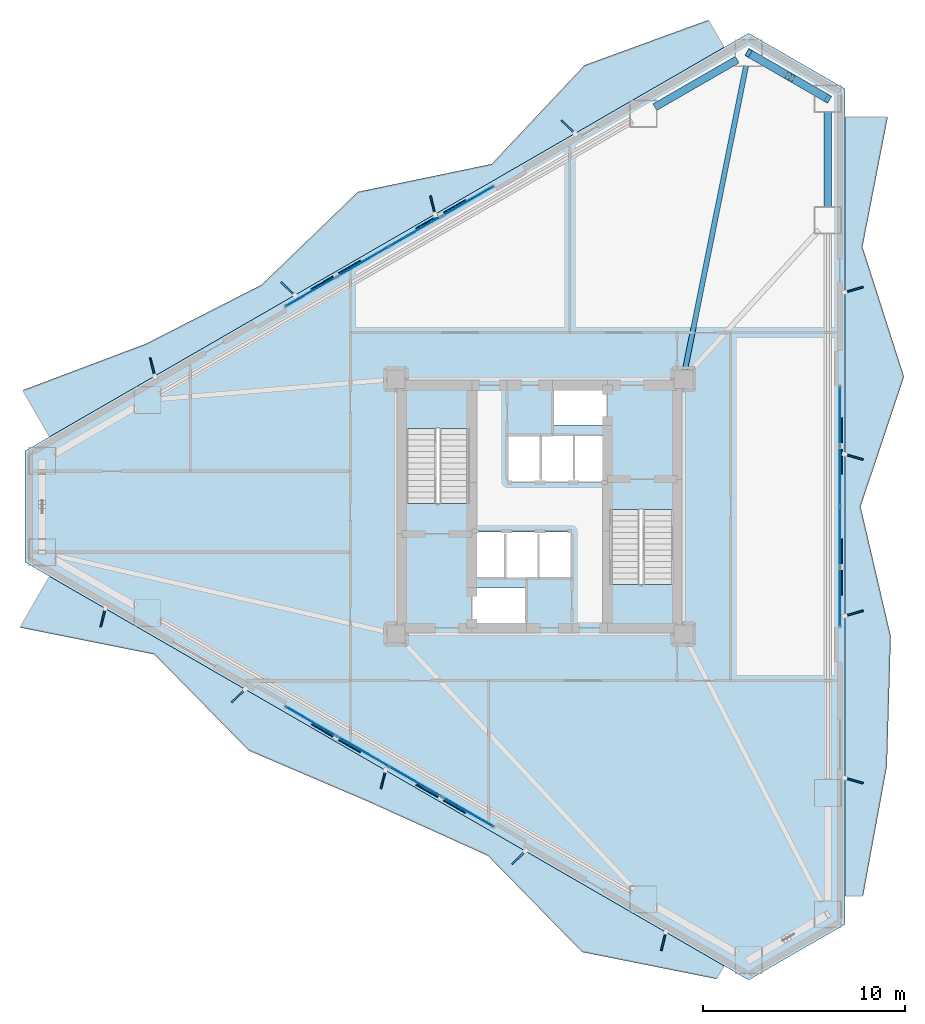
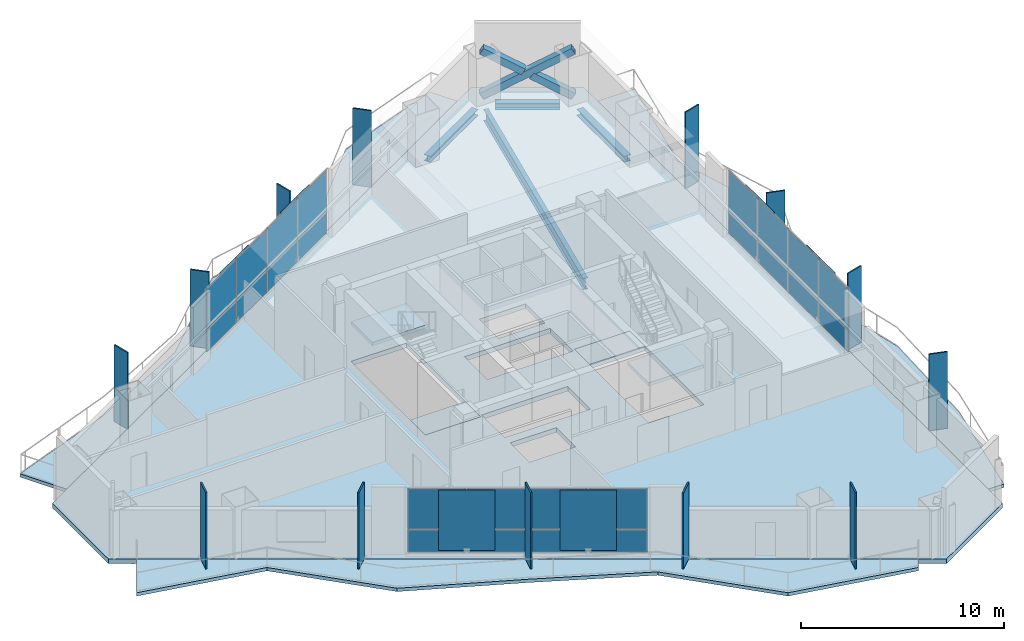
# One storey, part 10 of 16: 43 plates, 8 slabs, 4 beams, 3 members, 5 elements without a shape of their own.
"""IFC4 building model written with IfcOpenShell, lengths in metres."""

from ifc_helpers import new_model, si_unit, direction, frame, origin, origin_2d, place, context, subcontext, project, spatial, polyline, rectangle, hollow_rectangle, i_section, outline, extrude, material, layer, layer_set, material_profile, profile_set, type_object, element, aggregate, save


model = new_model("IFC4")

# Units and contexts
model_context = context("Model", 3, precision=1e-05, world=origin(), true_north=direction((0.0, 1.0)))
body_context = subcontext(model_context, "Body", "Model", "MODEL_VIEW")
ifc_project = project(units=[si_unit("LENGTHUNIT", "METRE"), si_unit("AREAUNIT", "SQUARE_METRE"), si_unit("VOLUMEUNIT", "CUBIC_METRE"), si_unit("PLANEANGLEUNIT", "RADIAN"), si_unit("MASSUNIT", "GRAM", prefix="KILO")], contexts=[model_context])

# Site, building, storey
site_placement = place(None, origin())
site = spatial("IfcSite", under=ifc_project, at=site_placement, CompositionType="ELEMENT")
building_placement = place(site_placement, origin())
building = spatial("IfcBuilding", under=site, at=building_placement, Name="Mersakhor Tower and Convention Hall", CompositionType="ELEMENT")
storey_placement = place(building_placement, frame((0.0, 0.0, 62.10009765625)))
storey = spatial("IfcBuildingStorey", under=building, at=storey_placement, Name="L17", CompositionType="ELEMENT", Elevation=62.10009765625)

# Beams
ifc_material_1 = material(Name="Steel S355", Category="steel")
ifc_material_profile_1 = material_profile(ifc_material_1, i_section(OverallWidth=0.25439453125, OverallDepth=0.6875, WebThickness=0.01318359375, FlangeThickness=0.02099609375, at=origin_2d()), Name="UB 686x254x152")
ifc_profile_set_1 = profile_set([ifc_material_profile_1], Name="Steel S355")
beam_type_1 = type_object("IfcBeamType", Name="BM-PR-686", PredefinedType="BEAM", material=ifc_profile_set_1)
beam_1_placement = place(storey_placement, frame((36.1845703125, 33.4716796875, -0.623779296875), z_axis=(0.196849718138, 0.980433673672, 0.0), x_axis=(-0.980433673672, 0.196849718138, 0.0)))
element("IfcBeam", 1, at=beam_1_placement, inside=storey, type_object=beam_type_1, Name="L17 Primary Floor Girder FG-2", PredefinedType="BEAM", context=body_context, shape_type="SweptSolid", body=[
    extrude(i_section(OverallWidth=0.25439453125, OverallDepth=0.6875, WebThickness=0.01318359375, FlangeThickness=0.02099609375, at=origin_2d()), origin(), (0.0, 0.0, 1.0), 15.359130859375),
])
ifc_material_2 = material(Name="Steel S355", Category="steel")
ifc_material_profile_2 = material_profile(ifc_material_2, i_section(OverallWidth=0.374755859375, OverallDepth=0.37451171875, WebThickness=0.0166015625, FlangeThickness=0.027099609375, at=origin_2d()), Name="UC 356x368x202")
ifc_profile_set_2 = profile_set([ifc_material_profile_2], Name="Steel S355")
beam_type_2 = type_object("IfcBeamType", Name="BM-SPD-UC356", PredefinedType="SPANDREL", material=ifc_profile_set_2)
beam_2_placement = place(storey_placement, frame((34.700439453125, 46.49560546875, -0.46728515625), z_axis=(0.866031574723, 0.499989311469, 0.0), x_axis=(-0.499989311469, 0.866031574723, 0.0)))
element("IfcBeam", 2, at=beam_2_placement, inside=storey, type_object=beam_type_2, Name="L17 Perimeter Spandrel Beam SPB-03", PredefinedType="SPANDREL", context=body_context, shape_type="SweptSolid", body=[
    extrude(i_section(OverallWidth=0.374755859375, OverallDepth=0.37451171875, WebThickness=0.0166015625, FlangeThickness=0.027099609375, at=origin_2d()), origin(), (0.0, 0.0, 1.0), 4.69873046875),
])
beam_3_placement = place(storey_placement, frame((39.904052734375, 48.844970703125, -0.46728515625), z_axis=(0.866038607556, -0.4999771297, 0.0), x_axis=(0.4999771297, 0.866038607556, 0.0)))
element("IfcBeam", 3, at=beam_3_placement, inside=storey, type_object=beam_type_2, Name="L17 Perimeter Spandrel Beam SPB-04", PredefinedType="SPANDREL", context=body_context, shape_type="SweptSolid", body=[
    extrude(i_section(OverallWidth=0.374755859375, OverallDepth=0.37451171875, WebThickness=0.0166015625, FlangeThickness=0.027099609375, at=origin_2d()), origin(), (0.0, 0.0, 1.0), 3.208740234375),
])
beam_4_placement = place(storey_placement, frame((43.25, 46.25830078125, -0.46728515625), z_axis=(0.0, -1.0, 0.0), x_axis=(1.0, 0.0, 0.0)))
element("IfcBeam", 4, at=beam_4_placement, inside=storey, type_object=beam_type_2, Name="L17 Perimeter Spandrel Beam SPB-05", PredefinedType="SPANDREL", context=body_context, shape_type="SweptSolid", body=[
    extrude(i_section(OverallWidth=0.374755859375, OverallDepth=0.37451171875, WebThickness=0.0166015625, FlangeThickness=0.027099609375, at=origin_2d()), origin(), (0.0, 0.0, 1.0), 4.69873046875),
])

# Members
ifc_material_3 = material(Name="Steel S460", Category="steel")
ifc_material_profile_3 = material_profile(ifc_material_3, hollow_rectangle(XDim=0.39990234375, YDim=0.39990234375, WallThickness=0.02490234375, at=origin_2d()), Name="SHS 400x400x25")
ifc_profile_set_3 = profile_set([ifc_material_profile_3], Name="Steel S460")
member_type = type_object("IfcMemberType", Name="MB-BRC-SHS400", PredefinedType="BRACE", material=ifc_profile_set_3)
member_placement = place(storey_placement, frame((39.3369140625, 49.172607421875, 0.14990234375), z_axis=(0.742687348281, -0.428801392625, 0.514339254175), x_axis=(0.500009315796, 0.86602002524, 0.0)))
element("IfcMember", 5, at=member_placement, inside=storey, type_object=member_type, Name="L17 Chamfer Braced Frame Diagonal CB-1A", PredefinedType="BRACE", context=body_context, shape_type="SweptSolid", body=[
    extrude(hollow_rectangle(XDim=0.39990234375, YDim=0.39990234375, WallThickness=0.02490234375, at=origin_2d()), origin(), (0.0, 0.0, 1.0), 5.268798828125),
])
for number, where, z_axis, x_axis, name in (
    (6, (43.25, 46.913330078125, 0.14990234375), (-0.742661276392, 0.4288105863, 0.514369234718), (-0.500030520673, -0.866007781949, 0.0), "L17 Chamfer Braced Frame Diagonal CB-1B Lower Half"),
    (7, (41.119140625, 48.1435546875, 1.62548828125), (-0.742661276392, 0.4288105863, 0.514369234718), (-0.500030520673, -0.866007781949, 0.0), "L17 Chamfer Braced Frame Diagonal CB-1B Upper Half"),
):
    element("IfcMember", number, at=place(storey_placement, frame(where, z_axis=z_axis, x_axis=x_axis)), inside=storey, type_object=member_type, Name=name, PredefinedType="BRACE", context=body_context, shape_type="SweptSolid", body=[
        extrude(hollow_rectangle(XDim=0.39990234375, YDim=0.39990234375, WallThickness=0.02490234375, at=origin_2d()), origin(), (0.0, 0.0, 1.0), 2.39990234375),
    ])

# Curtain wall, plates
ifc_material_4 = material(Name="Dark solar low-E aluminium curtain wall", Category="aluminium")
ifc_layer_1 = layer(ifc_material_4, 0.199951171875)
ifc_layer_set_1 = layer_set([ifc_layer_1], Name="Dark solar low-E aluminium curtain wall")
curtain_wall_type = type_object("IfcCurtainWallType", Name="CW-SYS-05", PredefinedType="USERDEFINED", material=ifc_layer_set_1)
curtain_wall_1_placement = place(storey_placement, origin())
curtain_wall_1 = element("IfcCurtainWall", 8, at=curtain_wall_1_placement, inside=storey, type_object=curtain_wall_type, Name="L17 Dark-Glass Curtain Wall F1-B2", ObjectType="CURTAIN WALL", PredefinedType="USERDEFINED")
ifc_material_5 = material(Name="Dark solar double glazing", Category="glass")
ifc_layer_2 = layer(ifc_material_5, 0.035888671875)
ifc_layer_set_2 = layer_set([ifc_layer_2], Name="Dark solar double glazing")
plate_type_1 = type_object("IfcPlateType", Name="CWP-GLZ-36", PredefinedType="CURTAIN_PANEL", material=ifc_layer_set_2)
plate_1_placement = place(storey_placement, frame((17.703857421875, 37.37548828125, 0.259765625), z_axis=(0.0, 0.0, 1.0), x_axis=(0.866023412558, 0.50000344889, 0.0)))
plate_1 = element("IfcPlate", 9, at=plate_1_placement, type_object=plate_type_1, Name="CW-05 panel 1.1", PredefinedType="CURTAIN_PANEL", context=body_context, shape_type="SweptSolid", body=[
    extrude(rectangle(XDim=2.873291015625, YDim=0.035888671875, at=origin_2d()), origin(), (0.0, 0.0, 1.0), 1.330078125),
])
plate_2_placement = place(storey_placement, frame((17.703857421875, 37.37548828125, 1.64990234375), z_axis=(0.0, 0.0, 1.0), x_axis=(0.866023412558, 0.50000344889, 0.0)))
plate_2 = element("IfcPlate", 10, at=plate_2_placement, type_object=plate_type_1, Name="CW-05 panel 1.2", PredefinedType="CURTAIN_PANEL", context=body_context, shape_type="SweptSolid", body=[
    extrude(rectangle(XDim=2.873291015625, YDim=0.035888671875, at=origin_2d()), origin(), (0.0, 0.0, 1.0), 2.389892578125),
])
plate_3_placement = place(storey_placement, frame((20.27880859375, 38.862060546875, 0.259765625), z_axis=(0.0, 0.0, 1.0), x_axis=(0.866023412558, 0.50000344889, 0.0)))
plate_3 = element("IfcPlate", 11, at=plate_3_placement, type_object=plate_type_1, Name="CW-05 panel 2.1", PredefinedType="CURTAIN_PANEL", context=body_context, shape_type="SweptSolid", body=[
    extrude(rectangle(XDim=2.913330078125, YDim=0.035888671875, at=origin_2d()), origin(), (0.0, 0.0, 1.0), 1.330078125),
])
plate_4_placement = place(storey_placement, frame((20.27880859375, 38.862060546875, 1.64990234375), z_axis=(0.0, 0.0, 1.0), x_axis=(0.866023412558, 0.50000344889, 0.0)))
plate_4 = element("IfcPlate", 12, at=plate_4_placement, type_object=plate_type_1, Name="CW-05 panel 2.2", PredefinedType="CURTAIN_PANEL", context=body_context, shape_type="SweptSolid", body=[
    extrude(rectangle(XDim=2.913330078125, YDim=0.035888671875, at=origin_2d()), origin(), (0.0, 0.0, 1.0), 2.389892578125),
])
plate_5_placement = place(storey_placement, frame((22.87109375, 40.35888671875, 0.259765625), z_axis=(0.0, 0.0, 1.0), x_axis=(0.866023412558, 0.50000344889, 0.0)))
plate_5 = element("IfcPlate", 13, at=plate_5_placement, type_object=plate_type_1, Name="CW-05 panel 3.1", PredefinedType="CURTAIN_PANEL", context=body_context, shape_type="SweptSolid", body=[
    extrude(rectangle(XDim=2.913330078125, YDim=0.035888671875, at=origin_2d()), origin(), (0.0, 0.0, 1.0), 1.330078125),
])
plate_6_placement = place(storey_placement, frame((22.87109375, 40.35888671875, 1.64990234375), z_axis=(0.0, 0.0, 1.0), x_axis=(0.866023412558, 0.50000344889, 0.0)))
plate_6 = element("IfcPlate", 14, at=plate_6_placement, type_object=plate_type_1, Name="CW-05 panel 3.2", PredefinedType="CURTAIN_PANEL", context=body_context, shape_type="SweptSolid", body=[
    extrude(rectangle(XDim=2.913330078125, YDim=0.035888671875, at=origin_2d()), origin(), (0.0, 0.0, 1.0), 2.389892578125),
])
plate_7_placement = place(storey_placement, frame((25.446044921875, 41.845458984375, 0.259765625), z_axis=(0.0, 0.0, 1.0), x_axis=(0.866023412558, 0.50000344889, 0.0)))
plate_7 = element("IfcPlate", 15, at=plate_7_placement, type_object=plate_type_1, Name="CW-05 panel 4.1", PredefinedType="CURTAIN_PANEL", context=body_context, shape_type="SweptSolid", body=[
    extrude(rectangle(XDim=2.873291015625, YDim=0.035888671875, at=origin_2d()), origin(), (0.0, 0.0, 1.0), 1.330078125),
])
plate_8_placement = place(storey_placement, frame((25.446044921875, 41.845458984375, 1.64990234375), z_axis=(0.0, 0.0, 1.0), x_axis=(0.866023412558, 0.50000344889, 0.0)))
plate_8 = element("IfcPlate", 16, at=plate_8_placement, type_object=plate_type_1, Name="CW-05 panel 4.2", PredefinedType="CURTAIN_PANEL", context=body_context, shape_type="SweptSolid", body=[
    extrude(rectangle(XDim=2.873291015625, YDim=0.035888671875, at=origin_2d()), origin(), (0.0, 0.0, 1.0), 2.389892578125),
])
aggregate(curtain_wall_1, [plate_1, plate_2, plate_3, plate_4, plate_5, plate_6, plate_7, plate_8])

curtain_wall_2_placement = place(storey_placement, origin())
curtain_wall_2 = element("IfcCurtainWall", 17, at=curtain_wall_2_placement, inside=storey, type_object=curtain_wall_type, Name="L17 Dark-Glass Curtain Wall F2-B2", ObjectType="CURTAIN WALL", PredefinedType="USERDEFINED")
plate_9_placement = place(storey_placement, frame((43.85009765625, 31.219970703125, 0.259765625), z_axis=(0.0, 0.0, 1.0), x_axis=(0.0, -1.0, 0.0)))
plate_9 = element("IfcPlate", 18, at=plate_9_placement, type_object=plate_type_1, Name="CW-05 panel 1.1", PredefinedType="CURTAIN_PANEL", context=body_context, shape_type="SweptSolid", body=[
    extrude(rectangle(XDim=2.873291015625, YDim=0.035888671875, at=origin_2d()), origin(), (0.0, 0.0, 1.0), 1.330078125),
])
plate_10_placement = place(storey_placement, frame((43.85009765625, 31.219970703125, 1.64990234375), z_axis=(0.0, 0.0, 1.0), x_axis=(0.0, -1.0, 0.0)))
plate_10 = element("IfcPlate", 19, at=plate_10_placement, type_object=plate_type_1, Name="CW-05 panel 1.2", PredefinedType="CURTAIN_PANEL", context=body_context, shape_type="SweptSolid", body=[
    extrude(rectangle(XDim=2.873291015625, YDim=0.035888671875, at=origin_2d()), origin(), (0.0, 0.0, 1.0), 2.389892578125),
])
plate_11_placement = place(storey_placement, frame((43.85009765625, 28.24658203125, 0.259765625), z_axis=(0.0, 0.0, 1.0), x_axis=(0.0, -1.0, 0.0)))
plate_11 = element("IfcPlate", 20, at=plate_11_placement, type_object=plate_type_1, Name="CW-05 panel 2.1", PredefinedType="CURTAIN_PANEL", context=body_context, shape_type="SweptSolid", body=[
    extrude(rectangle(XDim=2.913330078125, YDim=0.035888671875, at=origin_2d()), origin(), (0.0, 0.0, 1.0), 1.330078125),
])
plate_12_placement = place(storey_placement, frame((43.85009765625, 28.24658203125, 1.64990234375), z_axis=(0.0, 0.0, 1.0), x_axis=(0.0, -1.0, 0.0)))
plate_12 = element("IfcPlate", 21, at=plate_12_placement, type_object=plate_type_1, Name="CW-05 panel 2.2", PredefinedType="CURTAIN_PANEL", context=body_context, shape_type="SweptSolid", body=[
    extrude(rectangle(XDim=2.913330078125, YDim=0.035888671875, at=origin_2d()), origin(), (0.0, 0.0, 1.0), 2.389892578125),
])
plate_13_placement = place(storey_placement, frame((43.85009765625, 25.25341796875, 0.259765625), z_axis=(0.0, 0.0, 1.0), x_axis=(0.0, -1.0, 0.0)))
plate_13 = element("IfcPlate", 22, at=plate_13_placement, type_object=plate_type_1, Name="CW-05 panel 3.1", PredefinedType="CURTAIN_PANEL", context=body_context, shape_type="SweptSolid", body=[
    extrude(rectangle(XDim=2.913330078125, YDim=0.035888671875, at=origin_2d()), origin(), (0.0, 0.0, 1.0), 1.330078125),
])
plate_14_placement = place(storey_placement, frame((43.85009765625, 25.25341796875, 1.64990234375), z_axis=(0.0, 0.0, 1.0), x_axis=(0.0, -1.0, 0.0)))
plate_14 = element("IfcPlate", 23, at=plate_14_placement, type_object=plate_type_1, Name="CW-05 panel 3.2", PredefinedType="CURTAIN_PANEL", context=body_context, shape_type="SweptSolid", body=[
    extrude(rectangle(XDim=2.913330078125, YDim=0.035888671875, at=origin_2d()), origin(), (0.0, 0.0, 1.0), 2.389892578125),
])
plate_15_placement = place(storey_placement, frame((43.85009765625, 22.280029296875, 0.259765625), z_axis=(0.0, 0.0, 1.0), x_axis=(0.0, -1.0, 0.0)))
plate_15 = element("IfcPlate", 24, at=plate_15_placement, type_object=plate_type_1, Name="CW-05 panel 4.1", PredefinedType="CURTAIN_PANEL", context=body_context, shape_type="SweptSolid", body=[
    extrude(rectangle(XDim=2.873291015625, YDim=0.035888671875, at=origin_2d()), origin(), (0.0, 0.0, 1.0), 1.330078125),
])
plate_16_placement = place(storey_placement, frame((43.85009765625, 22.280029296875, 1.64990234375), z_axis=(0.0, 0.0, 1.0), x_axis=(0.0, -1.0, 0.0)))
plate_16 = element("IfcPlate", 25, at=plate_16_placement, type_object=plate_type_1, Name="CW-05 panel 4.2", PredefinedType="CURTAIN_PANEL", context=body_context, shape_type="SweptSolid", body=[
    extrude(rectangle(XDim=2.873291015625, YDim=0.035888671875, at=origin_2d()), origin(), (0.0, 0.0, 1.0), 2.389892578125),
])
aggregate(curtain_wall_2, [plate_9, plate_10, plate_11, plate_12, plate_13, plate_14, plate_15, plate_16])

curtain_wall_3_placement = place(storey_placement, origin())
curtain_wall_3 = element("IfcCurtainWall", 26, at=curtain_wall_3_placement, inside=storey, type_object=curtain_wall_type, Name="L17 Dark-Glass Curtain Wall F3-B2", ObjectType="CURTAIN WALL", PredefinedType="USERDEFINED")
plate_17_placement = place(storey_placement, frame((25.446044921875, 11.654541015625, 0.259765625), z_axis=(0.0, 0.0, 1.0), x_axis=(-0.866023412558, 0.50000344889, 0.0)))
plate_17 = element("IfcPlate", 27, at=plate_17_placement, type_object=plate_type_1, Name="CW-05 panel 1.1", PredefinedType="CURTAIN_PANEL", context=body_context, shape_type="SweptSolid", body=[
    extrude(rectangle(XDim=2.873291015625, YDim=0.035888671875, at=origin_2d()), origin(), (0.0, 0.0, 1.0), 1.330078125),
])
plate_18_placement = place(storey_placement, frame((25.446044921875, 11.654541015625, 1.64990234375), z_axis=(0.0, 0.0, 1.0), x_axis=(-0.866023412558, 0.50000344889, 0.0)))
plate_18 = element("IfcPlate", 28, at=plate_18_placement, type_object=plate_type_1, Name="CW-05 panel 1.2", PredefinedType="CURTAIN_PANEL", context=body_context, shape_type="SweptSolid", body=[
    extrude(rectangle(XDim=2.873291015625, YDim=0.035888671875, at=origin_2d()), origin(), (0.0, 0.0, 1.0), 2.389892578125),
])
plate_19_placement = place(storey_placement, frame((22.87109375, 13.14111328125, 0.259765625), z_axis=(0.0, 0.0, 1.0), x_axis=(-0.866023412558, 0.50000344889, 0.0)))
plate_19 = element("IfcPlate", 29, at=plate_19_placement, type_object=plate_type_1, Name="CW-05 panel 2.1", PredefinedType="CURTAIN_PANEL", context=body_context, shape_type="SweptSolid", body=[
    extrude(rectangle(XDim=2.913330078125, YDim=0.035888671875, at=origin_2d()), origin(), (0.0, 0.0, 1.0), 1.330078125),
])
plate_20_placement = place(storey_placement, frame((22.87109375, 13.14111328125, 1.64990234375), z_axis=(0.0, 0.0, 1.0), x_axis=(-0.866023412558, 0.50000344889, 0.0)))
plate_20 = element("IfcPlate", 30, at=plate_20_placement, type_object=plate_type_1, Name="CW-05 panel 2.2", PredefinedType="CURTAIN_PANEL", context=body_context, shape_type="SweptSolid", body=[
    extrude(rectangle(XDim=2.913330078125, YDim=0.035888671875, at=origin_2d()), origin(), (0.0, 0.0, 1.0), 2.389892578125),
])
plate_21_placement = place(storey_placement, frame((20.27880859375, 14.637939453125, 0.259765625), z_axis=(0.0, 0.0, 1.0), x_axis=(-0.866023412558, 0.50000344889, 0.0)))
plate_21 = element("IfcPlate", 31, at=plate_21_placement, type_object=plate_type_1, Name="CW-05 panel 3.1", PredefinedType="CURTAIN_PANEL", context=body_context, shape_type="SweptSolid", body=[
    extrude(rectangle(XDim=2.913330078125, YDim=0.035888671875, at=origin_2d()), origin(), (0.0, 0.0, 1.0), 1.330078125),
])
plate_22_placement = place(storey_placement, frame((20.27880859375, 14.637939453125, 1.64990234375), z_axis=(0.0, 0.0, 1.0), x_axis=(-0.866023412558, 0.50000344889, 0.0)))
plate_22 = element("IfcPlate", 32, at=plate_22_placement, type_object=plate_type_1, Name="CW-05 panel 3.2", PredefinedType="CURTAIN_PANEL", context=body_context, shape_type="SweptSolid", body=[
    extrude(rectangle(XDim=2.913330078125, YDim=0.035888671875, at=origin_2d()), origin(), (0.0, 0.0, 1.0), 2.389892578125),
])
plate_23_placement = place(storey_placement, frame((17.703857421875, 16.12451171875, 0.259765625), z_axis=(0.0, 0.0, 1.0), x_axis=(-0.866023412558, 0.50000344889, 0.0)))
plate_23 = element("IfcPlate", 33, at=plate_23_placement, type_object=plate_type_1, Name="CW-05 panel 4.1", PredefinedType="CURTAIN_PANEL", context=body_context, shape_type="SweptSolid", body=[
    extrude(rectangle(XDim=2.873291015625, YDim=0.035888671875, at=origin_2d()), origin(), (0.0, 0.0, 1.0), 1.330078125),
])
plate_24_placement = place(storey_placement, frame((17.703857421875, 16.12451171875, 1.64990234375), z_axis=(0.0, 0.0, 1.0), x_axis=(-0.866023412558, 0.50000344889, 0.0)))
plate_24 = element("IfcPlate", 34, at=plate_24_placement, type_object=plate_type_1, Name="CW-05 panel 4.2", PredefinedType="CURTAIN_PANEL", context=body_context, shape_type="SweptSolid", body=[
    extrude(rectangle(XDim=2.873291015625, YDim=0.035888671875, at=origin_2d()), origin(), (0.0, 0.0, 1.0), 2.389892578125),
])
aggregate(curtain_wall_3, [plate_17, plate_18, plate_19, plate_20, plate_21, plate_22, plate_23, plate_24])

# Plates
ifc_material_6 = material(Name="Ceramic-clad aluminium Zone 1 cobalt-slate", Category="masonry")
ifc_material_7 = material(Name="Ceramic-clad aluminium Zone 1 cobalt-slate", Category="masonry")
ifc_layer_3 = layer(ifc_material_7, 0.080078125)
ifc_layer_set_3 = layer_set([ifc_layer_3], Name="Ceramic-clad aluminium Zone 1 cobalt-slate")
plate_type_2 = type_object("IfcPlateType", Name="PL-FIN-80", PredefinedType="USERDEFINED", material=ifc_layer_set_3)
for number, where, z_axis, x_axis, name in (
    (35, (9.86669921875, 33.6435546875, -0.000244140625), (0.0, 0.0, 1.0), (-0.2419218956, 0.970295726276, 0.0), "L17 Zone 1 Coloured Brise-Soleil Fin F1-1"),
    (36, (16.568115234375, 37.5126953125, -0.000244140625), (0.0, 0.0, 1.0), (-0.719339800339, 0.694658370459, 0.0), "L17 Zone 1 Coloured Brise-Soleil Fin F1-2"),
    (37, (23.72314453125, 41.6435546875, -0.000244140625), (0.0, 0.0, 1.0), (-0.2419218956, 0.970295726276, 0.0), "L17 Zone 1 Coloured Brise-Soleil Fin F1-3"),
    (38, (30.424560546875, 45.5126953125, -0.000244140625), (0.0, 0.0, 1.0), (-0.719339800339, 0.694658370459, 0.0), "L17 Zone 1 Coloured Brise-Soleil Fin F1-4"),
    (39, (44.53662109375, 37.46826171875, -0.000244140625), (0.0, 0.0, 1.0), (0.961261695938, 0.275637355817, 0.0), "L17 Zone 1 Coloured Brise-Soleil Fin F2-1"),
    (40, (44.53662109375, 29.206298828125, -0.000244140625), (0.0, 0.0, 1.0), (0.961261695938, -0.275637355817, 0.0), "L17 Zone 1 Coloured Brise-Soleil Fin F2-2"),
    (41, (44.53662109375, 21.46826171875, -0.000244140625), (0.0, 0.0, 1.0), (0.961261695938, 0.275637355817, 0.0), "L17 Zone 1 Coloured Brise-Soleil Fin F2-3"),
    (42, (44.53662109375, 13.206298828125, -0.000244140625), (0.0, 0.0, 1.0), (0.961261695938, -0.275637355817, 0.0), "L17 Zone 1 Coloured Brise-Soleil Fin F2-4"),
    (43, (35.1328125, 5.26904296875, -0.000244140625), (0.0, 0.0, 1.0), (-0.2419218956, -0.970295726276, 0.0), "L17 Zone 1 Coloured Brise-Soleil Fin F3-1"),
    (44, (27.977783203125, 9.39990234375, -0.000244140625), (0.0, 0.0, 1.0), (-0.719339800339, -0.694658370459, 0.0), "L17 Zone 1 Coloured Brise-Soleil Fin F3-2"),
    (45, (21.2763671875, 13.26904296875, -0.000244140625), (0.0, 0.0, 1.0), (-0.2419218956, -0.970295726276, 0.0), "L17 Zone 1 Coloured Brise-Soleil Fin F3-3"),
    (46, (14.121337890625, 17.39990234375, -0.000244140625), (0.0, 0.0, 1.0), (-0.719339800339, -0.694658370459, 0.0), "L17 Zone 1 Coloured Brise-Soleil Fin F3-4"),
    (47, (7.419921875, 21.26904296875, -0.000244140625), (0.0, 0.0, 1.0), (-0.2419218956, -0.970295726276, 0.0), "L17 Zone 1 Coloured Brise-Soleil Fin F3-5"),
):
    element("IfcPlate", number, at=place(storey_placement, frame(where, z_axis=z_axis, x_axis=x_axis)), inside=storey, type_object=plate_type_2, material=ifc_material_6, Name=name, ObjectType="FIN", PredefinedType="USERDEFINED", context=body_context, shape_type="SweptSolid", body=[
        extrude(rectangle(XDim=0.949951171875, YDim=0.080078125, at=origin_2d()), origin(), (0.0, 0.0, 1.0), 4.60009765625),
    ])
ifc_material_8 = material(Name="Perforated ceramic cobogo solar screen", Category="aluminium")
ifc_layer_4 = layer(ifc_material_8, 0.055908203125)
ifc_layer_set_4 = layer_set([ifc_layer_4], Name="Perforated ceramic cobogo solar screen")
plate_type_3 = type_object("IfcPlateType", Name="PL-SCR-56", PredefinedType="USERDEFINED", material=ifc_layer_set_4)
for number, where, z_axis, x_axis, name in (
    (48, (18.933837890625, 38.19873046875, 0.39990234375), (0.0, 0.0, 1.0), (0.866025403784, 0.5, 0.0), "L17 Perforated Ceramic Solar Screen F1-1"),
    (49, (24.118408203125, 41.19189453125, 0.39990234375), (0.0, 0.0, 1.0), (0.866025403784, 0.5, 0.0), "L17 Perforated Ceramic Solar Screen F1-2"),
    (50, (43.947998046875, 29.743408203125, 0.39990234375), (0.0, 0.0, 1.0), (0.0, -1.0, 0.0), "L17 Perforated Ceramic Solar Screen F2-1"),
    (51, (43.947998046875, 23.756591796875, 0.39990234375), (0.0, 0.0, 1.0), (0.0, -1.0, 0.0), "L17 Perforated Ceramic Solar Screen F2-2"),
    (52, (24.1181640625, 12.30810546875, 0.39990234375), (0.0, 0.0, 1.0), (-0.866025403784, 0.5, 0.0), "L17 Perforated Ceramic Solar Screen F3-1"),
    (53, (18.93359375, 15.30126953125, 0.39990234375), (0.0, 0.0, 1.0), (-0.866025403784, 0.5, 0.0), "L17 Perforated Ceramic Solar Screen F3-2"),
):
    element("IfcPlate", number, at=place(storey_placement, frame(where, z_axis=z_axis, x_axis=x_axis)), inside=storey, type_object=plate_type_3, Name=name, ObjectType="SCREEN", PredefinedType="USERDEFINED", context=body_context, shape_type="SweptSolid", body=[
        extrude(rectangle(XDim=2.800048828125, YDim=0.055908203125, at=origin_2d()), origin(), (0.0, 0.0, 1.0), 3.64990234375),
    ])

# Slabs
ifc_material_9 = material(Name="Concrete C45/55", Category="concrete")
ifc_layer_5 = layer(ifc_material_9, 0.199951171875)
ifc_layer_set_5 = layer_set([ifc_layer_5], Name="Concrete C45/55")
slab_type_1 = type_object("IfcSlabType", Name="SL-BAL-200", PredefinedType="FLOOR", material=ifc_layer_set_5)
slab_1_placement = place(storey_placement, frame((0.0, 0.0, -0.2001953125)))
element("IfcSlab", 54, at=slab_1_placement, inside=storey, type_object=slab_type_1, Name="L17 Sinusoidal Balcony Slab Face 1", PredefinedType="FLOOR", context=body_context, shape_type="SweptSolid", body=[
    extrude(outline(polyline([(4.775390625, 30.199951171875), (38.12451171875, 49.4541015625), (37.344482421875, 50.80517578125), (31.2236328125, 48.570556640625), (26.63330078125, 43.685546875), (20.016845703125, 42.30908203125), (15.2587890625, 37.71435546875), (9.532470703125, 34.796630859375), (3.44775390625, 32.499755859375), (4.775390625, 30.199951171875)])), origin(), (0.0, 0.0, 1.0), 0.2001953125),
])
slab_2_placement = place(storey_placement, frame((0.0, 0.0, -0.2001953125)))
element("IfcSlab", 55, at=slab_2_placement, inside=storey, type_object=slab_type_1, Name="L17 Sinusoidal Balcony Slab Face 2", PredefinedType="FLOOR", context=body_context, shape_type="SweptSolid", body=[
    extrude(outline(polyline([(44.10009765625, 46.00390625), (44.10009765625, 7.49609375), (44.992919921875, 7.49609375), (46.171630859375, 13.9140625), (46.365478515625, 20.33203125), (44.87158203125, 26.75), (47.02001953125, 33.16796875), (44.965087890625, 39.5859375), (46.213134765625, 46.00390625), (44.10009765625, 46.00390625)])), origin(), (0.0, 0.0, 1.0), 0.2001953125),
])
slab_3_placement = place(storey_placement, frame((0.0, 0.0, -0.2001953125)))
element("IfcSlab", 56, at=slab_3_placement, inside=storey, type_object=slab_type_1, Name="L17 Sinusoidal Balcony Slab Face 3", PredefinedType="FLOOR", context=body_context, shape_type="SweptSolid", body=[
    extrude(outline(polyline([(38.12451171875, 4.0458984375), (4.775390625, 23.300048828125), (3.3154296875, 20.771240234375), (9.958740234375, 19.44140625), (14.62451171875, 14.68701171875), (20.56884765625, 12.146728515625), (26.44482421875, 9.48828125), (31.106201171875, 4.726318359375), (37.74951171875, 3.396484375), (38.12451171875, 4.0458984375)])), origin(), (0.0, 0.0, 1.0), 0.2001953125),
])
ifc_material_10 = material(Name="Concrete C45/55", Category="concrete")
ifc_layer_6 = layer(ifc_material_10, 0.280029296875)
ifc_layer_set_6 = layer_set([ifc_layer_6], Name="Concrete C45/55")
slab_type_2 = type_object("IfcSlabType", Name="SL-FLR-280", PredefinedType="FLOOR", material=ifc_layer_set_6)
slab_4_placement = place(storey_placement, frame((0.0, 0.0, -0.280029296875)))
element("IfcSlab", 57, at=slab_4_placement, inside=storey, type_object=slab_type_2, Name="L17 ST-1 Structural Stair Floor Landing", PredefinedType="LANDING", context=body_context, shape_type="SweptSolid", body=[
    extrude(outline(polyline([(25.550048828125, 25.39990234375), (25.550048828125, 26.89990234375), (22.39990234375, 26.89990234375), (22.39990234375, 25.39990234375), (25.550048828125, 25.39990234375)])), origin(), (0.0, 0.0, 1.0), 0.280029296875),
])
slab_5_placement = place(storey_placement, frame((0.0, 0.0, -0.280029296875)))
element("IfcSlab", 58, at=slab_5_placement, inside=storey, type_object=slab_type_2, Name="L17 ST-2 Structural Stair Floor Landing", PredefinedType="LANDING", context=body_context, shape_type="SweptSolid", body=[
    extrude(outline(polyline([(32.449951171875, 28.10009765625), (32.449951171875, 26.60009765625), (35.60009765625, 26.60009765625), (35.60009765625, 28.10009765625), (32.449951171875, 28.10009765625)])), origin(), (0.0, 0.0, 1.0), 0.280029296875),
])
slab_6_placement = place(storey_placement, frame((0.0, 0.0, -0.280029296875)))
element("IfcSlab", 59, at=slab_6_placement, inside=storey, type_object=slab_type_2, Name="Tower L17 Structural Floor Slab", PredefinedType="FLOOR", context=body_context, shape_type="SweptSolid", body=[
    extrude(outline(polyline([(3.56298828125, 29.5), (39.3369140625, 50.154052734375), (44.10009765625, 47.404052734375), (44.10009765625, 6.095947265625), (39.3369140625, 3.345947265625), (3.56298828125, 24.0), (3.56298828125, 29.5)]), holes=[polyline([(25.550048828125, 25.39990234375), (25.550048828125, 32.699951171875), (22.39990234375, 32.699951171875), (22.39990234375, 25.39990234375), (25.550048828125, 25.39990234375)]), polyline([(32.449951171875, 28.10009765625), (32.449951171875, 20.800048828125), (35.60009765625, 20.800048828125), (35.60009765625, 28.10009765625), (32.449951171875, 28.10009765625)]), polyline([(25.679931640625, 20.820068359375), (25.679931640625, 22.719970703125), (28.320068359375, 22.719970703125), (28.320068359375, 20.820068359375), (25.679931640625, 20.820068359375)]), polyline([(29.679931640625, 30.780029296875), (29.679931640625, 32.679931640625), (32.320068359375, 32.679931640625), (32.320068359375, 30.780029296875), (29.679931640625, 30.780029296875)]), polyline([(25.679931640625, 23.25), (25.679931640625, 25.5), (30.570068359375, 25.5), (30.570068359375, 23.25), (25.679931640625, 23.25)]), polyline([(27.429931640625, 28.0), (27.429931640625, 30.25), (32.320068359375, 30.25), (32.320068359375, 28.0), (27.429931640625, 28.0)])]), origin(), (0.0, 0.0, 1.0), 0.280029296875),
])

# Stair, slab
ifc_material_11 = material(Name="Concrete C45/55", Category="concrete")
stair_type = type_object("IfcStairType", Name="ST-TWR-28R", PredefinedType="HALF_TURN_STAIR", material=ifc_material_11)
stair_1_placement = place(storey_placement, origin())
stair_1 = element("IfcStair", 60, at=stair_1_placement, inside=storey, type_object=stair_type, Name="L17 Tower Protected Exit Stair ST-1", PredefinedType="HALF_TURN_STAIR")
ifc_material_12 = material(Name="Concrete C45/55", Category="concrete")
ifc_layer_7 = layer(ifc_material_12, 0.199951171875)
ifc_layer_set_7 = layer_set([ifc_layer_7], Name="Concrete C45/55")
slab_type_3 = type_object("IfcSlabType", Name="SL-LAND-200", PredefinedType="LANDING", material=ifc_layer_set_7)
slab_7_placement = place(storey_placement, frame((0.0, 0.0, 2.199951171875)))
slab_7 = element("IfcSlab", 61, at=slab_7_placement, type_object=slab_type_3, Name="ST-1 landing 1", PredefinedType="LANDING", context=body_context, shape_type="SweptSolid", body=[
    extrude(outline(polyline([(25.550048828125, 30.60498046875), (25.550048828125, 32.699951171875), (22.39990234375, 32.699951171875), (22.39990234375, 30.60498046875), (25.550048828125, 30.60498046875)])), origin(), (0.0, 0.0, 1.0), 0.199951171875),
])
aggregate(stair_1, [slab_7])

stair_2_placement = place(storey_placement, origin())
stair_2 = element("IfcStair", 62, at=stair_2_placement, inside=storey, type_object=stair_type, Name="L17 Tower Protected Exit Stair ST-2", PredefinedType="HALF_TURN_STAIR")
slab_8_placement = place(storey_placement, frame((0.0, 0.0, 2.199951171875)))
slab_8 = element("IfcSlab", 63, at=slab_8_placement, type_object=slab_type_3, Name="ST-2 landing 1", PredefinedType="LANDING", context=body_context, shape_type="SweptSolid", body=[
    extrude(outline(polyline([(32.449951171875, 22.89501953125), (32.449951171875, 20.800048828125), (35.60009765625, 20.800048828125), (35.60009765625, 22.89501953125), (32.449951171875, 22.89501953125)])), origin(), (0.0, 0.0, 1.0), 0.199951171875),
])
aggregate(stair_2, [slab_8])

save(model, "model.ifc")
